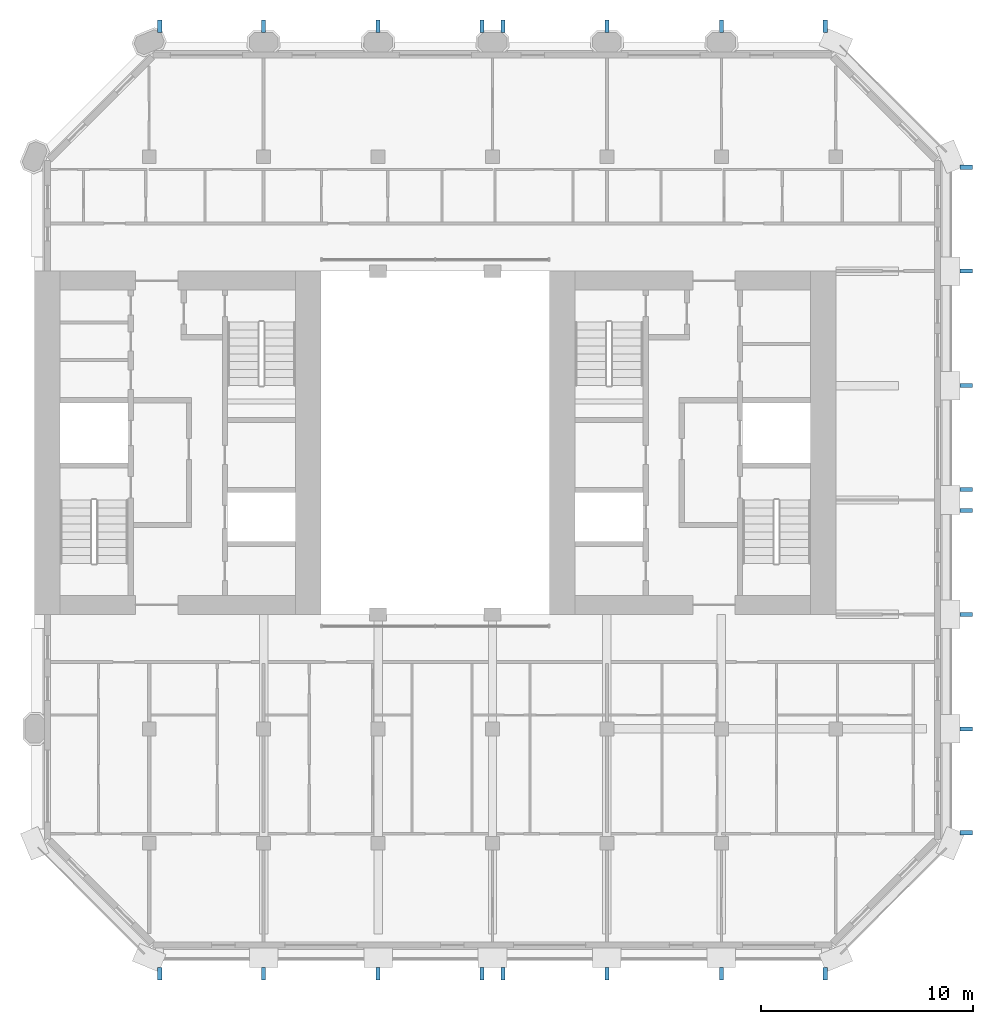
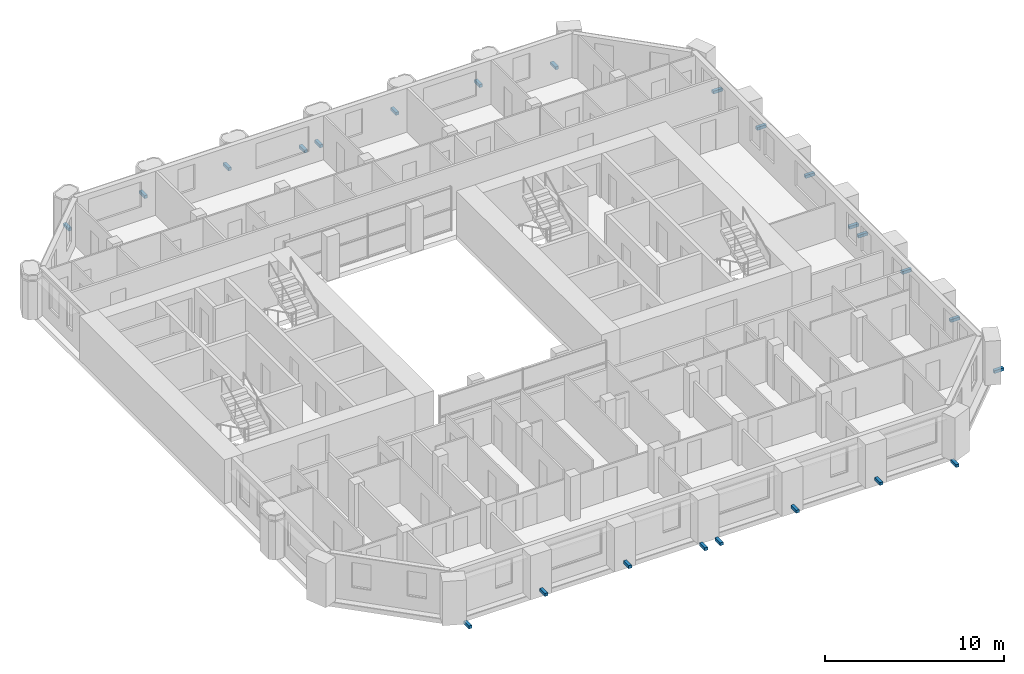
# One storey, part 12 of 14: 24 discrete accessories.
"""IFC4 building model written with IfcOpenShell, lengths in metres."""

from ifc_helpers import new_model, si_unit, direction, frame, origin, origin_2d, place, context, subcontext, project, spatial, rectangle, extrude, element, save


model = new_model("IFC4")

# Units and contexts
model_context = context("Model", 3, precision=1e-05, world=origin(), true_north=direction((0.0, 1.0)))
body_context = subcontext(model_context, "Body", "Model", "MODEL_VIEW")
ifc_project = project(units=[si_unit("LENGTHUNIT", "METRE"), si_unit("AREAUNIT", "SQUARE_METRE"), si_unit("VOLUMEUNIT", "CUBIC_METRE"), si_unit("PLANEANGLEUNIT", "RADIAN"), si_unit("MASSUNIT", "GRAM", prefix="KILO")], contexts=[model_context])

# Site, building, storey
site_placement = place(None, origin())
site = spatial("IfcSite", under=ifc_project, at=site_placement, CompositionType="ELEMENT")
building_placement = place(site_placement, origin())
building = spatial("IfcBuilding", under=site, at=building_placement, Name="Tabaq Tower and Sports Hall", CompositionType="ELEMENT")
storey_placement = place(building_placement, frame((0.0, 0.0, 281.800048828125)))
storey = spatial("IfcBuildingStorey", under=building, at=storey_placement, Name="L69", CompositionType="ELEMENT", Elevation=281.800048828125)

# Discrete accessories
for number, where, z_axis, x_axis, name in (
    (1, (11.300048828125, -0.75, -0.10009765625), (0.0, 0.0, 1.0), (0.0, -1.0, 0.0), "Stainless steel bracket"),
    (2, (16.199951171875, -0.75, 0.39990234375), (0.0, 0.0, 1.0), (0.0, -1.0, 0.0), "Stainless steel bracket"),
    (3, (21.60009765625, -0.75, 0.39990234375), (0.0, 0.0, 1.0), (0.0, -1.0, 0.0), "Stainless steel bracket"),
    (4, (26.5, -0.75, -0.10009765625), (0.0, 0.0, 1.0), (0.0, -1.0, 0.0), "Stainless steel bracket"),
    (5, (27.5, -0.75, -0.10009765625), (0.0, 0.0, 1.0), (0.0, -1.0, 0.0), "Stainless steel bracket"),
    (6, (32.39990234375, -0.75, 0.39990234375), (0.0, 0.0, 1.0), (0.0, -1.0, 0.0), "Stainless steel bracket"),
    (7, (37.800048828125, -0.75, 0.39990234375), (0.0, 0.0, 1.0), (0.0, -1.0, 0.0), "Stainless steel bracket"),
    (8, (42.699951171875, -0.75, -0.10009765625), (0.0, 0.0, 1.0), (0.0, -1.0, 0.0), "Stainless steel bracket"),
    (9, (49.35009765625, 5.89990234375, -0.10009765625), (0.0, 0.0, 1.0), (1.0, 0.0, 0.0), "Stainless steel bracket"),
    (10, (49.35009765625, 10.800048828125, 0.39990234375), (0.0, 0.0, 1.0), (1.0, 0.0, 0.0), "Stainless steel bracket"),
    (11, (49.35009765625, 16.199951171875, 0.39990234375), (0.0, 0.0, 1.0), (1.0, 0.0, 0.0), "Stainless steel bracket"),
    (12, (49.35009765625, 21.10009765625, -0.10009765625), (0.0, 0.0, 1.0), (1.0, 0.0, 0.0), "Stainless steel bracket"),
    (13, (49.35009765625, 22.10009765625, -0.10009765625), (0.0, 0.0, 1.0), (1.0, 0.0, 0.0), "Stainless steel bracket"),
    (14, (49.35009765625, 27.0, 0.39990234375), (0.0, 0.0, 1.0), (1.0, 0.0, 0.0), "Stainless steel bracket"),
    (15, (49.35009765625, 32.39990234375, 0.39990234375), (0.0, 0.0, 1.0), (1.0, 0.0, 0.0), "Stainless steel bracket"),
    (16, (49.35009765625, 37.300048828125, -0.10009765625), (0.0, 0.0, 1.0), (1.0, 0.0, 0.0), "Stainless steel bracket"),
    (17, (42.699951171875, 43.949951171875, -0.10009765625), (0.0, 0.0, 1.0), (0.0, 1.0, 0.0), "Stainless steel bracket"),
    (18, (37.800048828125, 43.949951171875, 0.39990234375), (0.0, 0.0, 1.0), (0.0, 1.0, 0.0), "Stainless steel bracket"),
    (19, (32.39990234375, 43.949951171875, 0.39990234375), (0.0, 0.0, 1.0), (0.0, 1.0, 0.0), "Stainless steel bracket"),
    (20, (27.5, 43.949951171875, -0.10009765625), (0.0, 0.0, 1.0), (0.0, 1.0, 0.0), "Stainless steel bracket"),
    (21, (26.5, 43.949951171875, -0.10009765625), (0.0, 0.0, 1.0), (0.0, 1.0, 0.0), "Stainless steel bracket"),
    (22, (21.60009765625, 43.949951171875, 0.39990234375), (0.0, 0.0, 1.0), (0.0, 1.0, 0.0), "Stainless steel bracket"),
    (23, (16.199951171875, 43.949951171875, 0.39990234375), (0.0, 0.0, 1.0), (0.0, 1.0, 0.0), "Stainless steel bracket"),
    (24, (11.300048828125, 43.949951171875, -0.10009765625), (0.0, 0.0, 1.0), (0.0, 1.0, 0.0), "Stainless steel bracket"),
):
    element("IfcDiscreteAccessory", number, at=place(storey_placement, frame(where, z_axis=z_axis, x_axis=x_axis)), inside=storey, Name=name, PredefinedType="BRACKET", context=body_context, shape_type="SweptSolid", body=[
        extrude(rectangle(XDim=0.60009765625, YDim=0.199951171875, at=origin_2d()), origin(), (0.0, 0.0, 1.0), 0.199951171875),
    ])

save(model, "model.ifc")
